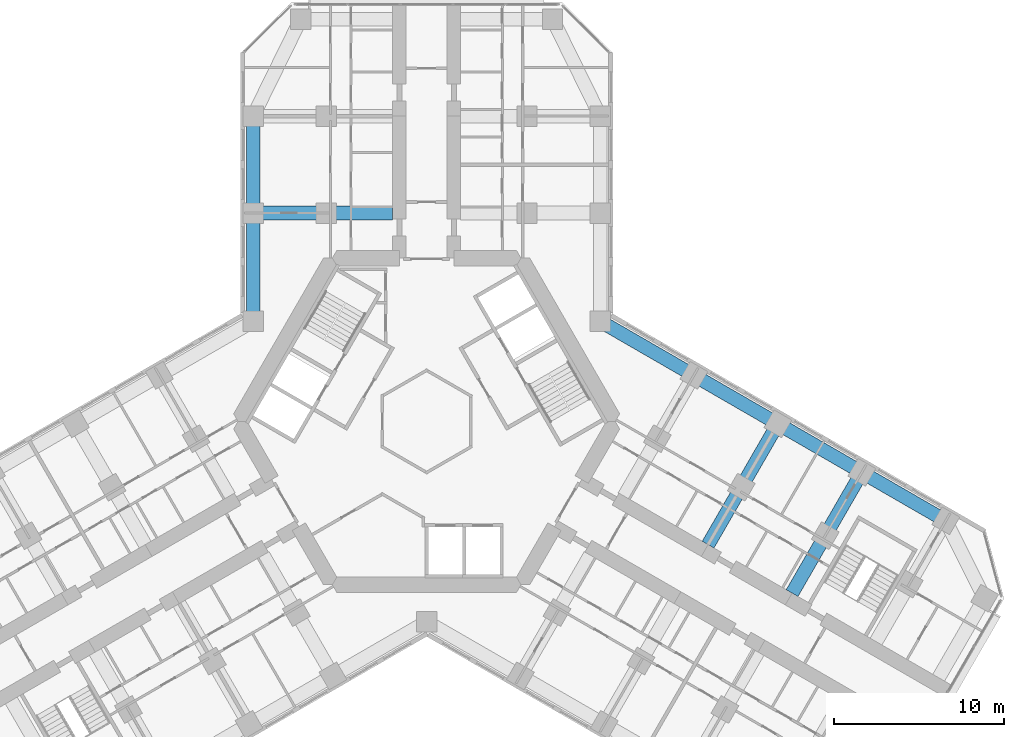
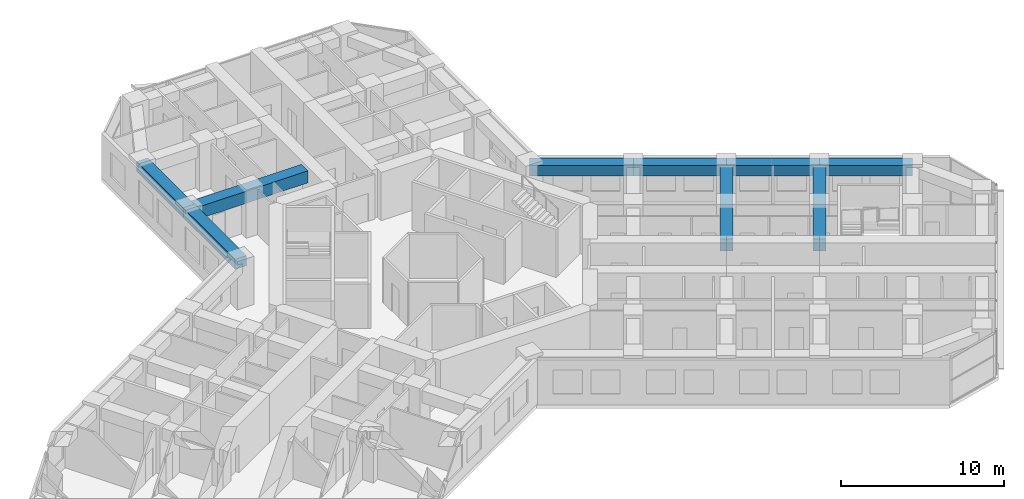
# One storey, part 6 of 20: 9 beams.
"""IFC4 building model written with IfcOpenShell, lengths in metres."""

from ifc_helpers import new_model, si_unit, direction, frame, origin, origin_2d, place, context, subcontext, project, spatial, rectangle, extrude, material, material_profile, profile_set, type_object, element, save


model = new_model("IFC4")

# Units and contexts
model_context = context("Model", 3, precision=1e-05, world=origin(), true_north=direction((0.0, 1.0)))
body_context = subcontext(model_context, "Body", "Model", "MODEL_VIEW")
ifc_project = project(units=[si_unit("LENGTHUNIT", "METRE"), si_unit("AREAUNIT", "SQUARE_METRE"), si_unit("VOLUMEUNIT", "CUBIC_METRE"), si_unit("PLANEANGLEUNIT", "RADIAN"), si_unit("MASSUNIT", "GRAM", prefix="KILO")], contexts=[model_context])

# Site, building, storey
site_placement = place(None, origin())
site = spatial("IfcSite", under=ifc_project, at=site_placement, CompositionType="ELEMENT")
building_placement = place(site_placement, origin())
building = spatial("IfcBuilding", under=site, at=building_placement, Name="Kosmar Iwan School Tower", CompositionType="ELEMENT")
storey_placement = place(building_placement, frame((0.0, 0.0, 123.800048828125)))
storey = spatial("IfcBuildingStorey", under=building, at=storey_placement, Name="L30", CompositionType="ELEMENT", Elevation=123.800048828125)

# Beams
ifc_material_1 = material(Name="Concrete C50/60", Category="concrete")
ifc_material_profile_1 = material_profile(ifc_material_1, rectangle(XDim=0.800048828125, YDim=0.75, at=origin_2d()), Name="RC 800x750")
ifc_profile_set_1 = profile_set([ifc_material_profile_1], Name="Concrete C50/60")
beam_type_1 = type_object("IfcBeamType", Name="RC edge beam 800x750", PredefinedType="BEAM", material=ifc_profile_set_1)
beam_1_placement = place(storey_placement, frame((-10.199951171875, 5.888916015625, 2.974853515625), z_axis=(0.0, 1.0, 0.0), x_axis=(-1.0, 0.0, 0.0)))
element("IfcBeam", 1, at=beam_1_placement, inside=storey, type_object=beam_type_1, Name="Edge beam AL1", PredefinedType="BEAM", context=body_context, shape_type="SweptSolid", body=[
    extrude(rectangle(XDim=0.800048828125, YDim=0.75, at=origin_2d()), origin(), (0.0, 0.0, 1.0), 6.361083984375),
])
beam_2_placement = place(storey_placement, frame((-10.199951171875, 12.25, 2.974853515625), z_axis=(0.0, 1.0, 0.0), x_axis=(-1.0, 0.0, 0.0)))
element("IfcBeam", 2, at=beam_2_placement, inside=storey, type_object=beam_type_1, Name="Edge beam AL2", PredefinedType="BEAM", context=body_context, shape_type="SweptSolid", body=[
    extrude(rectangle(XDim=0.800048828125, YDim=0.75, at=origin_2d()), origin(), (0.0, 0.0, 1.0), 5.699951171875),
])
beam_3_placement = place(storey_placement, frame((10.199951171875, 5.888916015625, 2.974853515625), z_axis=(0.866030912664, -0.49999045822, 0.0), x_axis=(0.49999045822, 0.866030912664, 0.0)))
element("IfcBeam", 3, at=beam_3_placement, inside=storey, type_object=beam_type_1, Name="Edge beam CL1", PredefinedType="BEAM", context=body_context, shape_type="SweptSolid", body=[
    extrude(rectangle(XDim=0.800048828125, YDim=0.75, at=origin_2d()), origin(), (0.0, 0.0, 1.0), 6.36083984375),
])
beam_4_placement = place(storey_placement, frame((15.708740234375, 2.70849609375, 2.974853515625), z_axis=(0.866025820012, -0.499999279071, 0.0), x_axis=(0.499999279071, 0.866025820012, 0.0)))
element("IfcBeam", 4, at=beam_4_placement, inside=storey, type_object=beam_type_1, Name="Edge beam CL2", PredefinedType="BEAM", context=body_context, shape_type="SweptSolid", body=[
    extrude(rectangle(XDim=0.800048828125, YDim=0.75, at=origin_2d()), origin(), (0.0, 0.0, 1.0), 5.7001953125),
])
for number, where, z_axis, x_axis, name in (
    (5, (20.645263671875, -0.1416015625, 2.974853515625), (0.866033658841, -0.49998570155, 0.0), (0.49998570155, 0.866033658841, 0.0), "Edge beam CL3"),
    (6, (25.58154296875, -2.991455078125, 2.974853515625), (0.866015111908, -0.50001782563, 0.0), (0.50001782563, 0.866015111908, 0.0), "Edge beam CL4"),
):
    element("IfcBeam", number, at=place(storey_placement, frame(where, z_axis=z_axis, x_axis=x_axis)), inside=storey, type_object=beam_type_1, Name=name, PredefinedType="BEAM", context=body_context, shape_type="SweptSolid", body=[
        extrude(rectangle(XDim=0.800048828125, YDim=0.75, at=origin_2d()), origin(), (0.0, 0.0, 1.0), 5.699951171875),
    ])
ifc_material_2 = material(Name="Concrete C50/60", Category="concrete")
ifc_material_profile_2 = material_profile(ifc_material_2, rectangle(XDim=0.800048828125, YDim=0.89990234375, at=origin_2d()), Name="RC 800x900")
ifc_profile_set_2 = profile_set([ifc_material_profile_2], Name="Concrete C50/60")
beam_type_2 = type_object("IfcBeamType", Name="RC transverse beam 800x900", PredefinedType="BEAM", material=ifc_profile_set_2)
for number, where, z_axis, x_axis, name in (
    (7, (-10.199951171875, 12.25, 2.89990234375), (1.0, 0.0, 0.0), (0.0, 1.0, 0.0), "Transverse beam AL1"),
    (8, (20.645263671875, -0.1416015625, 2.89990234375), (-0.500013681986, -0.866017504342, 0.0), (0.866017504342, -0.500013681986, 0.0), "Transverse beam CL2"),
):
    element("IfcBeam", number, at=place(storey_placement, frame(where, z_axis=z_axis, x_axis=x_axis)), inside=storey, type_object=beam_type_2, Name=name, PredefinedType="BEAM", context=body_context, shape_type="SweptSolid", body=[
        extrude(rectangle(XDim=0.800048828125, YDim=0.89990234375, at=origin_2d()), origin(), (0.0, 0.0, 1.0), 8.199951171875),
    ])
beam_5_placement = place(storey_placement, frame((25.58154296875, -2.991455078125, 2.89990234375), z_axis=(-0.500000789788, -0.8660249478, 0.0), x_axis=(0.8660249478, -0.500000789788, 0.0)))
element("IfcBeam", 9, at=beam_5_placement, inside=storey, type_object=beam_type_2, Name="Transverse beam CL3", PredefinedType="BEAM", context=body_context, shape_type="SweptSolid", body=[
    extrude(rectangle(XDim=0.800048828125, YDim=0.89990234375, at=origin_2d()), origin(), (0.0, 0.0, 1.0), 8.2001953125),
])

save(model, "model.ifc")
